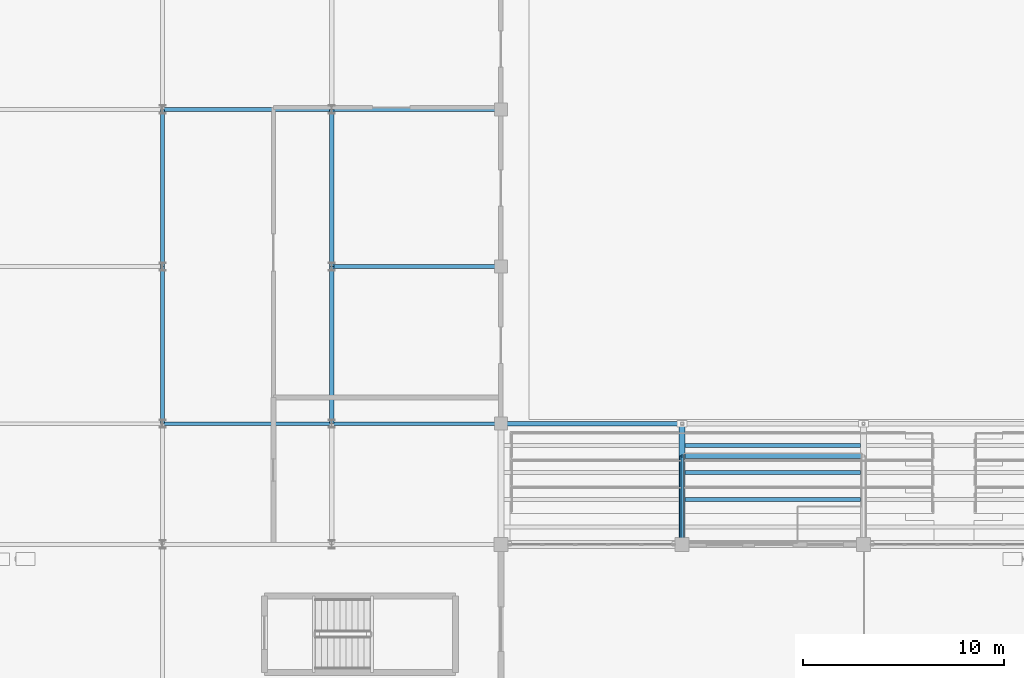
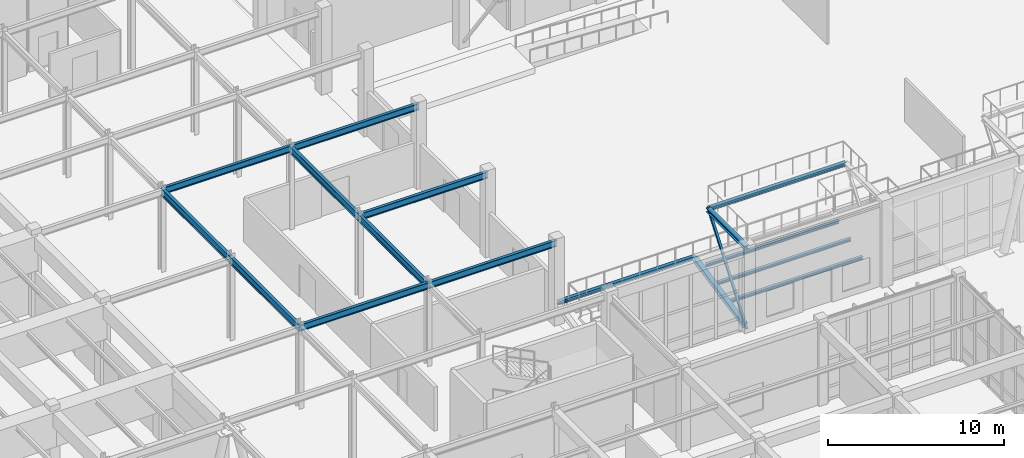
# One storey, part 35 of 110: 16 beams, 1 member.
"""IFC4 building model written with IfcOpenShell, lengths in metres."""

from ifc_helpers import new_model, si_unit, direction, frame, origin, origin_2d, place, context, subcontext, project, spatial, hollow_rectangle, i_section, extrude, material, material_profile, profile_set, type_object, element, save


model = new_model("IFC4")

# Units and contexts
model_context = context("Model", 3, precision=1e-05, world=origin(), true_north=direction((0.0, 1.0)))
body_context = subcontext(model_context, "Body", "Model", "MODEL_VIEW")
ifc_project = project(units=[si_unit("LENGTHUNIT", "METRE"), si_unit("AREAUNIT", "SQUARE_METRE"), si_unit("VOLUMEUNIT", "CUBIC_METRE"), si_unit("PLANEANGLEUNIT", "RADIAN"), si_unit("MASSUNIT", "GRAM", prefix="KILO")], contexts=[model_context])

# Site, building, storey
site_placement = place(None, origin())
site = spatial("IfcSite", under=ifc_project, at=site_placement, CompositionType="ELEMENT")
building_placement = place(site_placement, origin())
building = spatial("IfcBuilding", under=site, at=building_placement, Name="Tizgana Railside Sports Hall", CompositionType="ELEMENT")
storey_placement = place(building_placement, origin())
storey = spatial("IfcBuildingStorey", under=building, at=storey_placement, Name="L00", CompositionType="ELEMENT", Elevation=0.0)

# Beams
ifc_material = material(Name="Steel S355J2", Category="steel")
ifc_material_profile_1 = material_profile(ifc_material, i_section(OverallWidth=0.199951171875, OverallDepth=0.199951171875, WebThickness=0.009033203125, FlangeThickness=0.014892578125, FilletRadius=0.01806640625, at=origin_2d()), Name="HEB 200")
ifc_profile_set_1 = profile_set([ifc_material_profile_1], Name="Steel S355J2")
beam_type_1 = type_object("IfcBeamType", Name="Steel Beam HEB 200", PredefinedType="BEAM", material=ifc_profile_set_1)
for number, where, z_axis, x_axis, name in (
    (1, (88.945068359375, 43.02490234375, 0.52490234375), (1.0, 0.0, 0.0), (0.0, 1.0, 0.0), "L00 Stand Stringer BEM-0051"),
    (2, (88.945068359375, 44.375, 0.965087890625), (1.0, 0.0, 0.0), (0.0, 1.0, 0.0), "L00 Stand Stringer BEM-0056"),
    (3, (88.945068359375, 45.72509765625, 1.385009765625), (1.0, 0.0, 0.0), (0.0, 1.0, 0.0), "L00 Stand Stringer BEM-0061"),
):
    element("IfcBeam", number, at=place(storey_placement, frame(where, z_axis=z_axis, x_axis=x_axis)), inside=storey, type_object=beam_type_1, Name=name, PredefinedType="BEAM", context=body_context, shape_type="SweptSolid", body=[
        extrude(i_section(OverallWidth=0.199951171875, OverallDepth=0.199951171875, WebThickness=0.009033203125, FlangeThickness=0.014892578125, FilletRadius=0.01806640625, at=origin_2d()), origin(), (0.0, 0.0, 1.0), 8.7099609375),
    ])
ifc_material_profile_2 = material_profile(ifc_material, i_section(OverallWidth=0.239990234375, OverallDepth=0.239990234375, WebThickness=0.010009765625, FlangeThickness=0.01708984375, FilletRadius=0.02099609375, at=origin_2d()), Name="HEB 240")
ifc_profile_set_2 = profile_set([ifc_material_profile_2], Name="Steel S355J2")
beam_type_2 = type_object("IfcBeamType", Name="Steel Beam HEB 240", PredefinedType="BEAM", material=ifc_profile_set_2)
beam_1_placement = place(storey_placement, frame((79.8798828125, 46.800048828125, 1.320068359375), z_axis=(1.0, 0.0, 0.0), x_axis=(0.0, 1.0, 0.0)))
element("IfcBeam", 4, at=beam_1_placement, inside=storey, type_object=beam_type_2, Name="L00 Stand Rear Header SHB-0006", PredefinedType="BEAM", context=body_context, shape_type="SweptSolid", body=[
    extrude(i_section(OverallWidth=0.239990234375, OverallDepth=0.239990234375, WebThickness=0.010009765625, FlangeThickness=0.01708984375, FilletRadius=0.02099609375, at=origin_2d()), origin(), (0.0, 0.0, 1.0), 8.840087890625),
])
beam_2_placement = place(storey_placement, frame((88.800048828125, 45.199951171875, 5.64990234375), z_axis=(1.0, 0.0, 0.0), x_axis=(0.0, 1.0, 0.0)))
element("IfcBeam", 5, at=beam_2_placement, inside=storey, type_object=beam_type_2, Name="L00 BEM-1262", PredefinedType="BEAM", context=body_context, shape_type="SweptSolid", body=[
    extrude(i_section(OverallWidth=0.239990234375, OverallDepth=0.239990234375, WebThickness=0.010009765625, FlangeThickness=0.01708984375, FilletRadius=0.02099609375, at=origin_2d()), origin(), (0.0, 0.0, 1.0), 9.0),
])
ifc_material_profile_3 = material_profile(ifc_material, i_section(OverallWidth=0.280029296875, OverallDepth=0.280029296875, WebThickness=0.010498046875, FlangeThickness=0.01806640625, FilletRadius=0.02392578125, at=origin_2d()), Name="HEB 280")
ifc_profile_set_3 = profile_set([ifc_material_profile_3], Name="Steel S355J2")
beam_type_3 = type_object("IfcBeamType", Name="Steel Beam HEB 280", PredefinedType="BEAM", material=ifc_profile_set_3)
beam_3_placement = place(storey_placement, frame((88.800048828125, 40.800048828125, 5.6298828125), z_axis=(0.0, 1.0, 0.0), x_axis=(-1.0, 0.0, 0.0)))
element("IfcBeam", 6, at=beam_3_placement, inside=storey, type_object=beam_type_3, Name="L00 BEM-1263", PredefinedType="BEAM", context=body_context, shape_type="SweptSolid", body=[
    extrude(i_section(OverallWidth=0.280029296875, OverallDepth=0.280029296875, WebThickness=0.010498046875, FlangeThickness=0.01806640625, FilletRadius=0.02392578125, at=origin_2d()), origin(), (0.0, 0.0, 1.0), 4.39990234375),
])
ifc_material_profile_4 = material_profile(ifc_material, i_section(OverallWidth=0.300048828125, OverallDepth=0.300048828125, WebThickness=0.010986328125, FlangeThickness=0.01904296875, FilletRadius=0.027099609375, at=origin_2d()), Name="HEB 300")
ifc_profile_set_4 = profile_set([ifc_material_profile_4], Name="Steel S355J2")
beam_type_4 = type_object("IfcBeamType", Name="Steel Beam HEB 300", PredefinedType="BEAM", material=ifc_profile_set_4)
beam_4_placement = place(storey_placement, frame((88.800048828125, 40.949951171875, 0.14990234375), z_axis=(0.0, 0.979812896837, 0.199916700632), x_axis=(-1.0, 0.0, 0.0)))
element("IfcBeam", 7, at=beam_4_placement, inside=storey, type_object=beam_type_4, Name="L00 Stand Main Raker BEM-0040", PredefinedType="BEAM", context=body_context, shape_type="SweptSolid", body=[
    extrude(i_section(OverallWidth=0.300048828125, OverallDepth=0.300048828125, WebThickness=0.010986328125, FlangeThickness=0.01904296875, FilletRadius=0.027099609375, at=origin_2d()), origin(), (0.0, 0.0, 1.0), 5.853271484375),
])
ifc_material_profile_5 = material_profile(ifc_material, i_section(OverallWidth=0.18994140625, OverallDepth=0.449951171875, WebThickness=0.009521484375, FlangeThickness=0.0146484375, FilletRadius=0.02099609375, at=origin_2d()), Name="IPE 450")
ifc_profile_set_5 = profile_set([ifc_material_profile_5], Name="Steel S355J2")
beam_type_5 = type_object("IfcBeamType", Name="Steel Beam IPE 450", PredefinedType="BEAM", material=ifc_profile_set_5)
for number, where, z_axis, x_axis, name in (
    (8, (63.0, 46.800048828125, 5.5009765625), (1.0, 0.0, 0.0), (0.0, 1.0, 0.0), "L00 BEM-0937"),
    (9, (63.0, 62.39990234375, 5.5009765625), (1.0, 0.0, 0.0), (0.0, 1.0, 0.0), "L00 BEM-0938"),
):
    element("IfcBeam", number, at=place(storey_placement, frame(where, z_axis=z_axis, x_axis=x_axis)), inside=storey, type_object=beam_type_5, Name=name, PredefinedType="BEAM", context=body_context, shape_type="SweptSolid", body=[
        extrude(i_section(OverallWidth=0.18994140625, OverallDepth=0.449951171875, WebThickness=0.009521484375, FlangeThickness=0.0146484375, FilletRadius=0.02099609375, at=origin_2d()), origin(), (0.0, 0.0, 1.0), 8.39990234375),
    ])
for number, where, z_axis, x_axis, name in (
    (10, (71.39990234375, 46.800048828125, 5.5009765625), (1.0, 0.0, 0.0), (0.0, 1.0, 0.0), "L00 BEM-0945"),
    (11, (71.39990234375, 54.60009765625, 5.5009765625), (1.0, 0.0, 0.0), (0.0, 1.0, 0.0), "L00 BEM-0946"),
    (12, (71.39990234375, 62.39990234375, 5.5009765625), (1.0, 0.0, 0.0), (0.0, 1.0, 0.0), "L00 BEM-0947"),
):
    element("IfcBeam", number, at=place(storey_placement, frame(where, z_axis=z_axis, x_axis=x_axis)), inside=storey, type_object=beam_type_5, Name=name, PredefinedType="BEAM", context=body_context, shape_type="SweptSolid", body=[
        extrude(i_section(OverallWidth=0.18994140625, OverallDepth=0.449951171875, WebThickness=0.009521484375, FlangeThickness=0.0146484375, FilletRadius=0.02099609375, at=origin_2d()), origin(), (0.0, 0.0, 1.0), 8.400146484375),
    ])
ifc_material_profile_6 = material_profile(ifc_material, i_section(OverallWidth=0.199951171875, OverallDepth=0.5, WebThickness=0.01025390625, FlangeThickness=0.01611328125, FilletRadius=0.02099609375, at=origin_2d()), Name="IPE 500")
ifc_profile_set_6 = profile_set([ifc_material_profile_6], Name="Steel S355J2")
beam_type_6 = type_object("IfcBeamType", Name="Steel Beam IPE 500", PredefinedType="BEAM", material=ifc_profile_set_6)
beam_5_placement = place(storey_placement, frame((63.0, 46.800048828125, 5.47607421875), z_axis=(0.0, 1.0, 0.0), x_axis=(-1.0, 0.0, 0.0)))
element("IfcBeam", 13, at=beam_5_placement, inside=storey, type_object=beam_type_6, Name="L00 BEM-0913", PredefinedType="BEAM", context=body_context, shape_type="SweptSolid", body=[
    extrude(i_section(OverallWidth=0.199951171875, OverallDepth=0.5, WebThickness=0.01025390625, FlangeThickness=0.01611328125, FilletRadius=0.02099609375, at=origin_2d()), origin(), (0.0, 0.0, 1.0), 7.800048828125),
])
beam_6_placement = place(storey_placement, frame((63.0, 54.60009765625, 5.47607421875), z_axis=(0.0, 1.0, 0.0), x_axis=(-1.0, 0.0, 0.0)))
element("IfcBeam", 14, at=beam_6_placement, inside=storey, type_object=beam_type_6, Name="L00 BEM-0914", PredefinedType="BEAM", context=body_context, shape_type="SweptSolid", body=[
    extrude(i_section(OverallWidth=0.199951171875, OverallDepth=0.5, WebThickness=0.01025390625, FlangeThickness=0.01611328125, FilletRadius=0.02099609375, at=origin_2d()), origin(), (0.0, 0.0, 1.0), 7.7998046875),
])
beam_7_placement = place(storey_placement, frame((71.39990234375, 46.800048828125, 5.47607421875), z_axis=(0.0, 1.0, 0.0), x_axis=(-1.0, 0.0, 0.0)))
element("IfcBeam", 15, at=beam_7_placement, inside=storey, type_object=beam_type_6, Name="L00 BEM-0919", PredefinedType="BEAM", context=body_context, shape_type="SweptSolid", body=[
    extrude(i_section(OverallWidth=0.199951171875, OverallDepth=0.5, WebThickness=0.01025390625, FlangeThickness=0.01611328125, FilletRadius=0.02099609375, at=origin_2d()), origin(), (0.0, 0.0, 1.0), 7.800048828125),
])
beam_8_placement = place(storey_placement, frame((71.39990234375, 54.60009765625, 5.47607421875), z_axis=(0.0, 1.0, 0.0), x_axis=(-1.0, 0.0, 0.0)))
element("IfcBeam", 16, at=beam_8_placement, inside=storey, type_object=beam_type_6, Name="L00 BEM-0920", PredefinedType="BEAM", context=body_context, shape_type="SweptSolid", body=[
    extrude(i_section(OverallWidth=0.199951171875, OverallDepth=0.5, WebThickness=0.01025390625, FlangeThickness=0.01611328125, FilletRadius=0.02099609375, at=origin_2d()), origin(), (0.0, 0.0, 1.0), 7.7998046875),
])

# Member
ifc_material_profile_7 = material_profile(ifc_material, hollow_rectangle(XDim=0.139892578125, YDim=0.139892578125, WallThickness=0.008056640625, at=origin_2d()), Name="SHS 140x140x8")
ifc_profile_set_7 = profile_set([ifc_material_profile_7], Name="Steel S355J2")
member_type = type_object("IfcMemberType", Name="Steel Brace SHS 140x140x8", PredefinedType="BRACE", material=ifc_profile_set_7)
member_placement = place(storey_placement, frame((88.800048828125, 40.800048828125, 0.0), z_axis=(0.0, 0.606365528469, 0.795186044825), x_axis=(-1.0, 0.0, 0.0)))
element("IfcMember", 17, at=member_placement, inside=storey, type_object=member_type, Name="L00 Catwalk Raker", PredefinedType="BRACE", context=body_context, shape_type="SweptSolid", body=[
    extrude(hollow_rectangle(XDim=0.139892578125, YDim=0.139892578125, WallThickness=0.008056640625, at=origin_2d()), origin(), (0.0, 0.0, 1.0), 7.256103515625),
])

save(model, "model.ifc")
